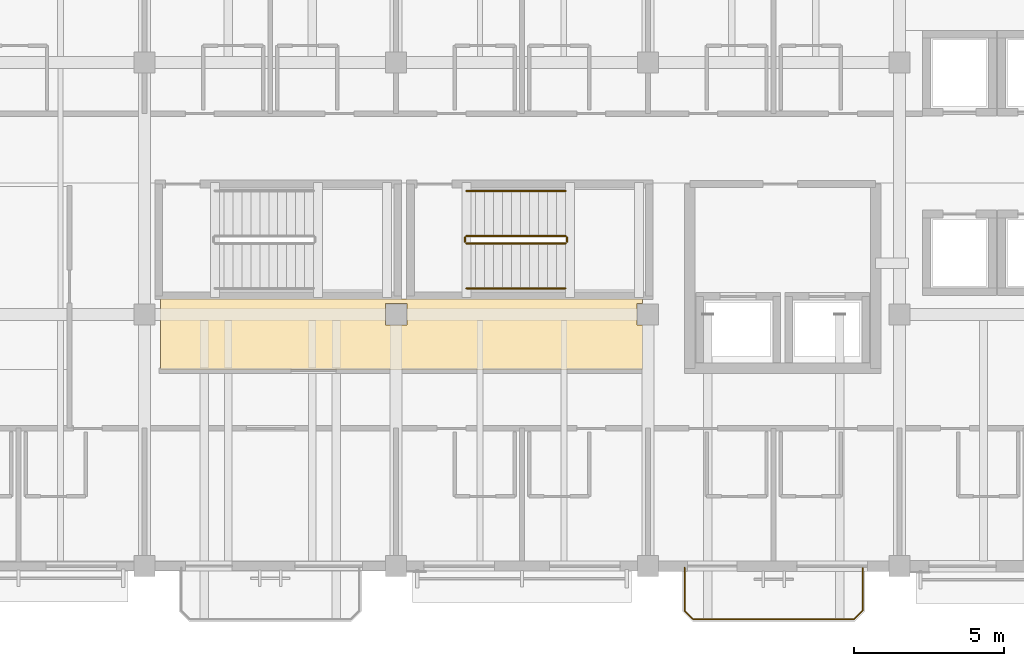
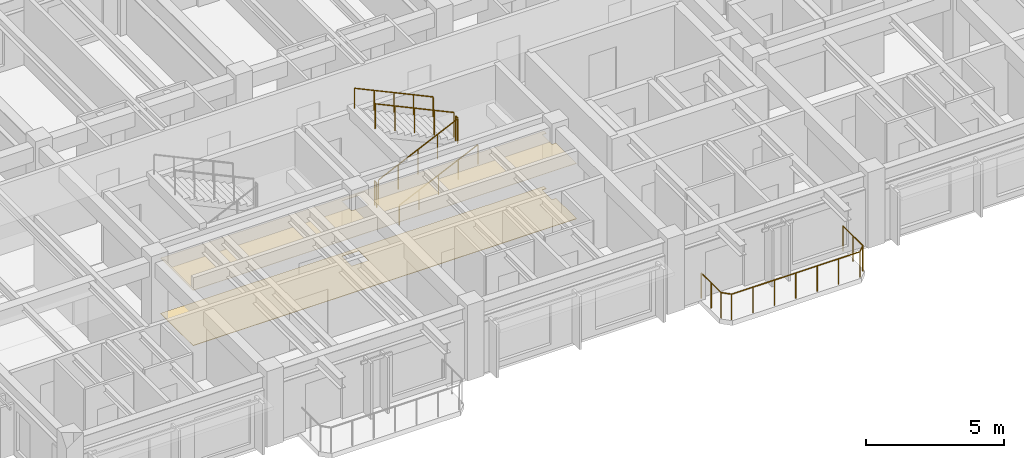
# One storey, part 14 of 18: 7 railings, 2 coverings.
"""IFC4 building model written with IfcOpenShell, lengths in metres."""

from ifc_helpers import new_model, si_unit, direction, frame, origin, origin_2d, place, context, subcontext, project, spatial, polyline, circle, outline, extrude, material, layer, layer_set, type_object, element, save


model = new_model("IFC4")

# Units and contexts
model_context = context("Model", 3, precision=1e-05, world=origin(), true_north=direction((0.0, 1.0)))
body_context = subcontext(model_context, "Body", "Model", "MODEL_VIEW")
ifc_project = project(units=[si_unit("LENGTHUNIT", "METRE"), si_unit("AREAUNIT", "SQUARE_METRE"), si_unit("VOLUMEUNIT", "CUBIC_METRE"), si_unit("PLANEANGLEUNIT", "RADIAN"), si_unit("MASSUNIT", "GRAM", prefix="KILO")], contexts=[model_context])

# Site, building, storey
site_placement = place(None, origin())
site = spatial("IfcSite", under=ifc_project, at=site_placement, CompositionType="ELEMENT")
building_placement = place(site_placement, origin())
building = spatial("IfcBuilding", under=site, at=building_placement, Name="Cumbredor Promenade Congress Hotel", CompositionType="ELEMENT")
storey_placement = place(building_placement, frame((0.0, 0.0, 25.199951171875)))
storey = spatial("IfcBuildingStorey", under=building, at=storey_placement, Name="L07", CompositionType="ELEMENT", Elevation=25.199951171875)

# Covering
ifc_material_1 = material(Name="Acoustic mineral-fiber and gypsum ceiling")
ifc_layer_1 = layer(ifc_material_1, 0.01806640625, Name="Acoustic mineral-fiber and gypsum ceiling")
ifc_layer_set_1 = layer_set([ifc_layer_1], Name="Acoustic mineral-fiber and gypsum ceiling")
covering_type_1 = type_object("IfcCoveringType", Name="Acoustic Perforated Gypsum Ceiling CLG-01 18mm", PredefinedType="CEILING", material=ifc_layer_set_1)
covering_1_placement = place(storey_placement, frame((0.0, 0.0, 2.453125)))
element("IfcCovering", 1, at=covering_1_placement, inside=storey, type_object=covering_type_1, Name="L07 Sabana Delegates Study Salon Acoustic Ceiling", PredefinedType="CEILING", context=body_context, shape_type="SweptSolid", body=[
    extrude(outline(polyline([(8.93994140625, 101.320068359375), (25.02001953125, 101.320068359375), (25.02001953125, 101.155029296875), (24.844970703125, 101.155029296875), (24.844970703125, 100.445068359375), (25.02001953125, 100.445068359375), (25.02001953125, 98.9599609375), (8.93994140625, 98.9599609375), (8.93994140625, 101.320068359375)]), holes=[polyline([(16.445068359375, 101.155029296875), (16.445068359375, 100.445068359375), (17.155029296875, 100.445068359375), (17.155029296875, 101.155029296875), (16.445068359375, 101.155029296875)])]), origin(), (0.0, 0.0, 1.0), 0.017822265625),
])

# Railings
ifc_material_2 = material(Name="Brushed stainless steel", Category="steel")
railing_type_1 = type_object("IfcRailingType", Name="Interior Void & Stair Guardrail GR-1100", PredefinedType="GUARDRAIL", material=ifc_material_2)
railing_1_placement = place(storey_placement, frame((19.14990234375, 103.169921875, 0.14013671875)))
element("IfcRailing", 2, at=railing_1_placement, inside=storey, type_object=railing_type_1, Name="L07 ST-02 stair guard 1", PredefinedType="GUARDRAIL", context=body_context, shape_type="SweptSolid", body=[
    extrude(circle(Radius=0.02392578125, at=origin_2d()), frame((0.0, 0.0, 1.09619140625), z_axis=(0.906207117075, 0.0, 0.422834082074), x_axis=(0.0, 1.0, 0.0)), (0.0, 0.0, 1.0), 3.6416015625),
    extrude(circle(Radius=0.02099609375, at=origin_2d()), origin(), (0.0, 0.0, 1.0), 1.072021484375),
    extrude(circle(Radius=0.02099609375, at=origin_2d()), frame((0.824951171875, 0.0, 0.385009765625)), (0.0, 0.0, 1.0), 1.072021484375),
    extrude(circle(Radius=0.02099609375, at=origin_2d()), frame((1.64990234375, 0.0, 0.77001953125)), (0.0, 0.0, 1.0), 1.072021484375),
    extrude(circle(Radius=0.02099609375, at=origin_2d()), frame((2.47509765625, 0.0, 1.15478515625)), (0.0, 0.0, 1.0), 1.072021484375),
    extrude(circle(Radius=0.02099609375, at=origin_2d()), frame((3.300048828125, 0.0, 1.539794921875)), (0.0, 0.0, 1.0), 1.072021484375),
])
railing_2_placement = place(storey_placement, frame((22.5, 103.219970703125, 1.679931640625)))
element("IfcRailing", 3, at=railing_2_placement, inside=storey, type_object=railing_type_1, Name="L07 ST-02 stair guard 2", PredefinedType="GUARDRAIL", context=body_context, shape_type="SweptSolid", body=[
    extrude(circle(Radius=0.02392578125, at=origin_2d()), frame((0.0, 0.0, 1.09619140625), z_axis=(0.0, 1.0, 0.0), x_axis=(-1.0, 0.0, 0.0)), (0.0, 0.0, 1.0), 0.150146484375),
    extrude(circle(Radius=0.02099609375, at=origin_2d()), origin(), (0.0, 0.0, 1.0), 1.072021484375),
    extrude(circle(Radius=0.02099609375, at=origin_2d()), frame((0.0, 0.150146484375, 0.0)), (0.0, 0.0, 1.0), 1.072021484375),
])
railing_3_placement = place(storey_placement, frame((22.449951171875, 103.419921875, 1.820068359375)))
element("IfcRailing", 4, at=railing_3_placement, inside=storey, type_object=railing_type_1, Name="L07 ST-02 stair guard 3", PredefinedType="GUARDRAIL", context=body_context, shape_type="SweptSolid", body=[
    extrude(circle(Radius=0.02392578125, at=origin_2d()), frame((0.0, 0.0, 1.09619140625), z_axis=(-0.906181427284, 0.0, 0.422889135408), x_axis=(0.0, -1.0, 0.0)), (0.0, 0.0, 1.0), 3.6416015625),
    extrude(circle(Radius=0.02099609375, at=origin_2d()), origin(), (0.0, 0.0, 1.0), 1.072021484375),
    extrude(circle(Radius=0.02099609375, at=origin_2d()), frame((-0.824951171875, 0.0, 0.385009765625)), (0.0, 0.0, 1.0), 1.072021484375),
    extrude(circle(Radius=0.02099609375, at=origin_2d()), frame((-1.64990234375, 0.0, 0.77001953125)), (0.0, 0.0, 1.0), 1.072021484375),
    extrude(circle(Radius=0.02099609375, at=origin_2d()), frame((-2.47509765625, 0.0, 1.155029296875)), (0.0, 0.0, 1.0), 1.072021484375),
    extrude(circle(Radius=0.02099609375, at=origin_2d()), frame((-3.300048828125, 0.0, 1.5400390625)), (0.0, 0.0, 1.0), 1.072021484375),
])
railing_4_placement = place(storey_placement, frame((19.10009765625, 103.219970703125, 0.0)))
element("IfcRailing", 5, at=railing_4_placement, inside=storey, type_object=railing_type_1, Name="L07 ST-02 stair guard 4", PredefinedType="GUARDRAIL", context=body_context, shape_type="SweptSolid", body=[
    extrude(circle(Radius=0.02392578125, at=origin_2d()), frame((0.0, 0.0, 1.09619140625), z_axis=(0.0, 1.0, 0.0), x_axis=(-1.0, 0.0, 0.0)), (0.0, 0.0, 1.0), 0.150146484375),
    extrude(circle(Radius=0.02099609375, at=origin_2d()), origin(), (0.0, 0.0, 1.0), 1.072021484375),
    extrude(circle(Radius=0.02099609375, at=origin_2d()), frame((0.0, 0.150146484375, 0.0)), (0.0, 0.0, 1.0), 1.072021484375),
])

# Covering
ifc_material_3 = material(Name="Porcelain stoneware tile", Category="masonry")
ifc_layer_2 = layer(ifc_material_3, 0.02001953125, Name="Porcelain stoneware tile", Category="masonry")
ifc_layer_set_2 = layer_set([ifc_layer_2], Name="Porcelain stoneware tile")
covering_type_2 = type_object("IfcCoveringType", Name="Porcelain Stoneware Flooring FLR-01 20mm", PredefinedType="FLOORING", material=ifc_layer_set_2)
covering_2_placement = place(storey_placement, origin())
element("IfcCovering", 6, at=covering_2_placement, inside=storey, type_object=covering_type_2, Name="L07 Sabana Delegates Study Salon Porcelain Flooring", PredefinedType="FLOORING", context=body_context, shape_type="SweptSolid", body=[
    extrude(outline(polyline([(8.93994140625, 101.320068359375), (25.02001953125, 101.320068359375), (25.02001953125, 101.155029296875), (24.844970703125, 101.155029296875), (24.844970703125, 100.445068359375), (25.02001953125, 100.445068359375), (25.02001953125, 98.9599609375), (8.93994140625, 98.9599609375), (8.93994140625, 101.320068359375)]), holes=[polyline([(16.445068359375, 101.155029296875), (16.445068359375, 100.445068359375), (17.155029296875, 100.445068359375), (17.155029296875, 101.155029296875), (16.445068359375, 101.155029296875)])]), origin(), (0.0, 0.0, 1.0), 0.02001953125),
])

# Railings
railing_type_2 = type_object("IfcRailingType", Name="Sky Garden Glass-and-Steel Balustrade BAL-1150", PredefinedType="BALUSTRADE", material=ifc_material_2)
railing_5_placement = place(storey_placement, frame((26.429931640625, 92.35009765625, 0.0)))
element("IfcRailing", 7, at=railing_5_placement, inside=storey, type_object=railing_type_2, Name="L07 Veranda Balcony Balustrade 046", PredefinedType="BALUSTRADE", context=body_context, shape_type="SweptSolid", body=[
    extrude(circle(Radius=0.02392578125, at=origin_2d()), frame((0.0, 0.0, 1.1259765625), z_axis=(0.0, -1.0, 0.0), x_axis=(1.0, 0.0, 0.0)), (0.0, 0.0, 1.0), 1.440185546875),
    extrude(circle(Radius=0.02392578125, at=origin_2d()), frame((0.0, -1.440185546875, 1.1259765625), z_axis=(0.707106781187, -0.707106781187, 0.0), x_axis=(0.707106781187, 0.707106781187, 0.0)), (0.0, 0.0, 1.0), 0.39599609375),
    extrude(circle(Radius=0.02392578125, at=origin_2d()), frame((0.280029296875, -1.72021484375, 1.1259765625), z_axis=(1.0, 0.0, 0.0), x_axis=(0.0, 1.0, 0.0)), (0.0, 0.0, 1.0), 5.380126953125),
    extrude(circle(Radius=0.02392578125, at=origin_2d()), frame((5.66015625, -1.72021484375, 1.1259765625), z_axis=(0.707106781187, 0.707106781187, 0.0), x_axis=(-0.707106781187, 0.707106781187, 0.0)), (0.0, 0.0, 1.0), 0.39599609375),
    extrude(circle(Radius=0.02392578125, at=origin_2d()), frame((5.940185546875, -1.440185546875, 1.1259765625), z_axis=(0.0, 1.0, 0.0), x_axis=(-1.0, 0.0, 0.0)), (0.0, 0.0, 1.0), 1.440185546875),
    extrude(circle(Radius=0.02099609375, at=origin_2d()), origin(), (0.0, 0.0, 1.0), 1.101806640625),
    extrude(circle(Radius=0.02099609375, at=origin_2d()), frame((0.0, -0.72021484375, 0.0)), (0.0, 0.0, 1.0), 1.101806640625),
    extrude(circle(Radius=0.02099609375, at=origin_2d()), frame((0.0, -1.440185546875, 0.0)), (0.0, 0.0, 1.0), 1.101806640625),
    extrude(circle(Radius=0.02099609375, at=origin_2d()), frame((0.280029296875, -1.72021484375, 0.0)), (0.0, 0.0, 1.0), 1.101806640625),
    extrude(circle(Radius=0.02099609375, at=origin_2d()), frame((1.1767578125, -1.72021484375, 0.0)), (0.0, 0.0, 1.0), 1.101806640625),
    extrude(circle(Radius=0.02099609375, at=origin_2d()), frame((2.073486328125, -1.72021484375, 0.0)), (0.0, 0.0, 1.0), 1.101806640625),
    extrude(circle(Radius=0.02099609375, at=origin_2d()), frame((2.97021484375, -1.72021484375, 0.0)), (0.0, 0.0, 1.0), 1.101806640625),
    extrude(circle(Radius=0.02099609375, at=origin_2d()), frame((3.86669921875, -1.72021484375, 0.0)), (0.0, 0.0, 1.0), 1.101806640625),
    extrude(circle(Radius=0.02099609375, at=origin_2d()), frame((4.763427734375, -1.72021484375, 0.0)), (0.0, 0.0, 1.0), 1.101806640625),
    extrude(circle(Radius=0.02099609375, at=origin_2d()), frame((5.66015625, -1.72021484375, 0.0)), (0.0, 0.0, 1.0), 1.101806640625),
    extrude(circle(Radius=0.02099609375, at=origin_2d()), frame((5.940185546875, -1.440185546875, 0.0)), (0.0, 0.0, 1.0), 1.101806640625),
    extrude(circle(Radius=0.02099609375, at=origin_2d()), frame((5.940185546875, -0.72021484375, 0.0)), (0.0, 0.0, 1.0), 1.101806640625),
    extrude(circle(Radius=0.02099609375, at=origin_2d()), frame((5.940185546875, 0.0, 0.0)), (0.0, 0.0, 1.0), 1.101806640625),
])
railing_type_3 = type_object("IfcRailingType", Name="Stair Pitch Handrail HR-900", PredefinedType="HANDRAIL", material=ifc_material_2)
railing_6_placement = place(storey_placement, frame((19.14990234375, 101.669921875, 0.14013671875)))
element("IfcRailing", 8, at=railing_6_placement, inside=storey, type_object=railing_type_3, Name="L07 ST-02 stair handrail 1", PredefinedType="HANDRAIL", context=body_context, shape_type="SweptSolid", body=[
    extrude(circle(Radius=0.02392578125, at=origin_2d()), frame((0.0, 0.0, 0.8759765625), z_axis=(0.906207117075, 0.0, 0.422834082074), x_axis=(0.0, 1.0, 0.0)), (0.0, 0.0, 1.0), 3.6416015625),
    extrude(circle(Radius=0.02099609375, at=origin_2d()), origin(), (0.0, 0.0, 1.0), 0.851806640625),
    extrude(circle(Radius=0.02099609375, at=origin_2d()), frame((0.824951171875, 0.0, 0.385009765625)), (0.0, 0.0, 1.0), 0.851806640625),
    extrude(circle(Radius=0.02099609375, at=origin_2d()), frame((1.64990234375, 0.0, 0.77001953125)), (0.0, 0.0, 1.0), 0.851806640625),
    extrude(circle(Radius=0.02099609375, at=origin_2d()), frame((2.47509765625, 0.0, 1.15478515625)), (0.0, 0.0, 1.0), 0.851806640625),
    extrude(circle(Radius=0.02099609375, at=origin_2d()), frame((3.300048828125, 0.0, 1.539794921875)), (0.0, 0.0, 1.0), 0.851806640625),
])
railing_7_placement = place(storey_placement, frame((22.449951171875, 104.919921875, 1.820068359375)))
element("IfcRailing", 9, at=railing_7_placement, inside=storey, type_object=railing_type_3, Name="L07 ST-02 stair handrail 2", PredefinedType="HANDRAIL", context=body_context, shape_type="SweptSolid", body=[
    extrude(circle(Radius=0.02392578125, at=origin_2d()), frame((0.0, 0.0, 0.8759765625), z_axis=(-0.906181427284, 0.0, 0.422889135408), x_axis=(0.0, -1.0, 0.0)), (0.0, 0.0, 1.0), 3.6416015625),
    extrude(circle(Radius=0.02099609375, at=origin_2d()), origin(), (0.0, 0.0, 1.0), 0.851806640625),
    extrude(circle(Radius=0.02099609375, at=origin_2d()), frame((-0.824951171875, 0.0, 0.385009765625)), (0.0, 0.0, 1.0), 0.851806640625),
    extrude(circle(Radius=0.02099609375, at=origin_2d()), frame((-1.64990234375, 0.0, 0.77001953125)), (0.0, 0.0, 1.0), 0.851806640625),
    extrude(circle(Radius=0.02099609375, at=origin_2d()), frame((-2.47509765625, 0.0, 1.155029296875)), (0.0, 0.0, 1.0), 0.851806640625),
    extrude(circle(Radius=0.02099609375, at=origin_2d()), frame((-3.300048828125, 0.0, 1.5400390625)), (0.0, 0.0, 1.0), 0.851806640625),
])

save(model, "model.ifc")
